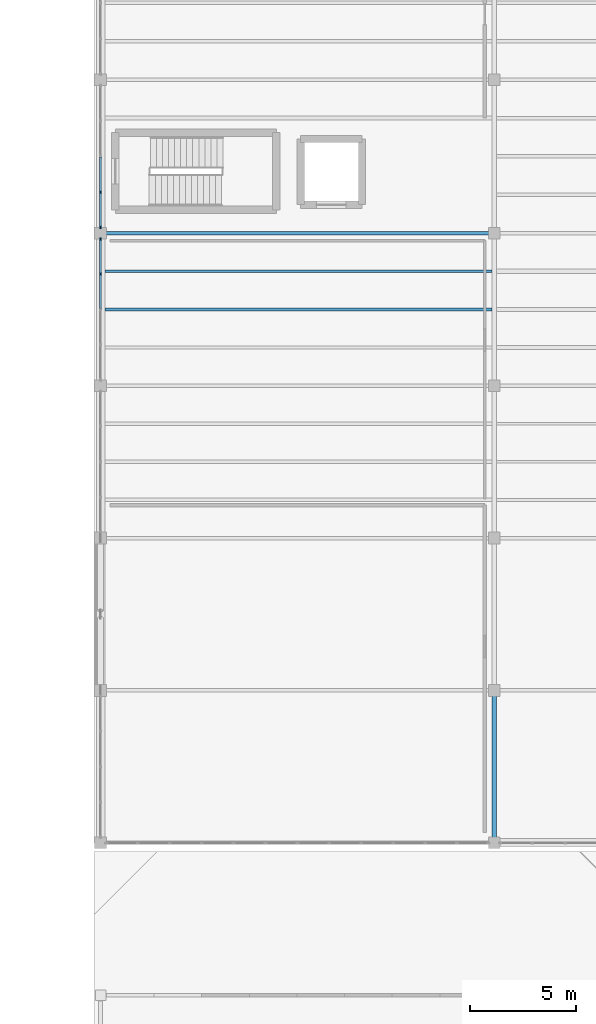
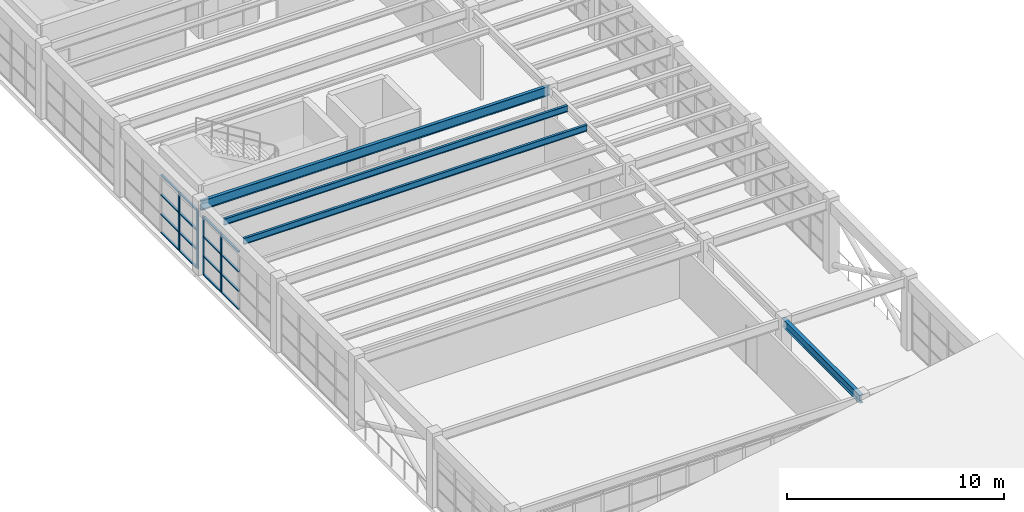
# One storey, part 30 of 66: 20 members, 4 beams, 2 elements without a shape of their own.
"""IFC4 building model written with IfcOpenShell, lengths in metres."""

from ifc_helpers import new_model, si_unit, direction, frame, origin, origin_2d, place, context, subcontext, project, spatial, rectangle, i_section, extrude, material, layer, layer_set, material_profile, profile_set, type_object, element, aggregate, save


model = new_model("IFC4")

# Units and contexts
model_context = context("Model", 3, precision=1e-05, world=origin(), true_north=direction((0.0, 1.0)))
body_context = subcontext(model_context, "Body", "Model", "MODEL_VIEW")
ifc_project = project(units=[si_unit("LENGTHUNIT", "METRE"), si_unit("AREAUNIT", "SQUARE_METRE"), si_unit("VOLUMEUNIT", "CUBIC_METRE"), si_unit("PLANEANGLEUNIT", "RADIAN"), si_unit("MASSUNIT", "GRAM", prefix="KILO")], contexts=[model_context])

# Site, building, storey
site_placement = place(None, origin())
site = spatial("IfcSite", under=ifc_project, at=site_placement, CompositionType="ELEMENT")
building_placement = place(site_placement, origin())
building = spatial("IfcBuilding", under=site, at=building_placement, Name="Candilejo Ridge Gondola Terminal", CompositionType="ELEMENT")
storey_placement = place(building_placement, frame((0.0, 0.0, 14.39990234375)))
storey = spatial("IfcBuildingStorey", under=building, at=storey_placement, Name="L03", CompositionType="ELEMENT", Elevation=14.39990234375)

# Curtain wall, members
ifc_material_1 = material(Name="Anodised aluminium AA 6063-T6", Category="aluminium")
ifc_layer_1 = layer(ifc_material_1, 0.169921875)
ifc_layer_set_1 = layer_set([ifc_layer_1], Name="ARC-CW-TOWER-3000-670X329")
curtain_wall_type_1 = type_object("IfcCurtainWallType", Name="ARC-CW-TOWER-3000-670X329", PredefinedType="NOTDEFINED", material=ifc_layer_set_1)
curtain_wall_1_placement = place(storey_placement, origin())
curtain_wall_1 = element("IfcCurtainWall", 1, at=curtain_wall_1_placement, inside=storey, type_object=curtain_wall_type_1, Name="Curtain wall V5 L03-200", PredefinedType="NOTDEFINED")
ifc_material_2 = material(Name="Anodised aluminium AA 6063-T6", Category="aluminium")
ifc_material_profile_1 = material_profile(ifc_material_2, rectangle(XDim=0.06494140625, YDim=0.14990234375, at=origin_2d()))
ifc_profile_set_1 = profile_set([ifc_material_profile_1], Name="Anodised aluminium AA 6063-T6")
member_type_1 = type_object("IfcMemberType", Name="ARC-CW-MULLION-150", PredefinedType="MULLION", material=ifc_profile_set_1)
member_1_placement = place(storey_placement, frame((150.0, 97.125, 0.0), z_axis=(0.0, 0.0, 1.0), x_axis=(-1.0, 0.0, 0.0)))
member_1 = element("IfcMember", 2, at=member_1_placement, type_object=member_type_1, Name="CW-67X32 mullion 4", PredefinedType="MULLION", context=body_context, shape_type="SweptSolid", body=[
    extrude(rectangle(XDim=0.06494140625, YDim=0.14990234375, at=origin_2d()), origin(), (0.0, 0.0, 1.0), 3.2900390625),
])
member_2_placement = place(storey_placement, frame((150.0, 98.767578125, 0.0), z_axis=(0.0, 0.0, 1.0), x_axis=(-1.0, 0.0, 0.0)))
member_2 = element("IfcMember", 3, at=member_2_placement, type_object=member_type_1, Name="CW-67X32 mullion 5", PredefinedType="MULLION", context=body_context, shape_type="SweptSolid", body=[
    extrude(rectangle(XDim=0.06494140625, YDim=0.14990234375, at=origin_2d()), origin(), (0.0, 0.0, 1.0), 3.2900390625),
])

ifc_material_3 = material(Name="Anodised aluminium AA 6063-T6", Category="aluminium")
ifc_layer_2 = layer(ifc_material_3, 0.169921875)
ifc_layer_set_2 = layer_set([ifc_layer_2], Name="ARC-CW-TOWER-3000-675X329")
curtain_wall_type_2 = type_object("IfcCurtainWallType", Name="ARC-CW-TOWER-3000-675X329", PredefinedType="NOTDEFINED", material=ifc_layer_set_2)
curtain_wall_2_placement = place(storey_placement, origin())
curtain_wall_2 = element("IfcCurtainWall", 4, at=curtain_wall_2_placement, inside=storey, type_object=curtain_wall_type_2, Name="Curtain wall V5 L03-202", PredefinedType="NOTDEFINED")
member_3_placement = place(storey_placement, frame((150.0, 99.33251953125, 0.0), z_axis=(0.0, 0.0, 1.0), x_axis=(-1.0, 0.0, 0.0)))
member_3 = element("IfcMember", 5, at=member_3_placement, type_object=member_type_1, Name="CW-67X32 mullion 1", PredefinedType="MULLION", context=body_context, shape_type="SweptSolid", body=[
    extrude(rectangle(XDim=0.06494140625, YDim=0.14990234375, at=origin_2d()), origin(), (0.0, 0.0, 1.0), 3.2900390625),
])
member_4_placement = place(storey_placement, frame((150.0, 100.987548828125, 0.0), z_axis=(0.0, 0.0, 1.0), x_axis=(-1.0, 0.0, 0.0)))
member_4 = element("IfcMember", 6, at=member_4_placement, type_object=member_type_1, Name="CW-67X32 mullion 2", PredefinedType="MULLION", context=body_context, shape_type="SweptSolid", body=[
    extrude(rectangle(XDim=0.06494140625, YDim=0.14990234375, at=origin_2d()), origin(), (0.0, 0.0, 1.0), 3.2900390625),
])

# Member
ifc_material_4 = material(Name="Anodised aluminium AA 6063-T6", Category="aluminium")
ifc_material_profile_2 = material_profile(ifc_material_4, rectangle(XDim=0.110107421875, YDim=0.06005859375, at=origin_2d()))
ifc_profile_set_2 = profile_set([ifc_material_profile_2], Name="Anodised aluminium AA 6063-T6")
member_type_2 = type_object("IfcMemberType", Name="ARC-CW-TRANSOM-110", PredefinedType="USERDEFINED", material=ifc_profile_set_2)
member_5_placement = place(storey_placement, frame((150.0, 95.482421875, 0.030029296875), z_axis=(0.0, 1.0, 0.0), x_axis=(-1.0, 0.0, 0.0)))
member_5 = element("IfcMember", 7, at=member_5_placement, type_object=member_type_2, Name="CW-67X32 transom 3.1", ObjectType="TRANSOM", PredefinedType="USERDEFINED", context=body_context, shape_type="SweptSolid", body=[
    extrude(rectangle(XDim=0.110107421875, YDim=0.06005859375, at=origin_2d()), origin(), (0.0, 0.0, 1.0), 1.610107421875),
])

member_6_placement = place(storey_placement, frame((150.0, 95.482421875, 1.050048828125), z_axis=(0.0, 1.0, 0.0), x_axis=(-1.0, 0.0, 0.0)))
member_6 = element("IfcMember", 8, at=member_6_placement, type_object=member_type_2, Name="CW-67X32 transom 3.2", ObjectType="TRANSOM", PredefinedType="USERDEFINED", context=body_context, shape_type="SweptSolid", body=[
    extrude(rectangle(XDim=0.110107421875, YDim=0.06005859375, at=origin_2d()), origin(), (0.0, 0.0, 1.0), 1.610107421875),
])

member_7_placement = place(storey_placement, frame((150.0, 95.482421875, 2.150146484375), z_axis=(0.0, 1.0, 0.0), x_axis=(-1.0, 0.0, 0.0)))
member_7 = element("IfcMember", 9, at=member_7_placement, type_object=member_type_2, Name="CW-67X32 transom 3.3", ObjectType="TRANSOM", PredefinedType="USERDEFINED", context=body_context, shape_type="SweptSolid", body=[
    extrude(rectangle(XDim=0.110107421875, YDim=0.06005859375, at=origin_2d()), origin(), (0.0, 0.0, 1.0), 1.610107421875),
])

member_8_placement = place(storey_placement, frame((150.0, 95.482421875, 3.260009765625), z_axis=(0.0, 1.0, 0.0), x_axis=(-1.0, 0.0, 0.0)))
member_8 = element("IfcMember", 10, at=member_8_placement, type_object=member_type_2, Name="CW-67X32 transom 3.4", ObjectType="TRANSOM", PredefinedType="USERDEFINED", context=body_context, shape_type="SweptSolid", body=[
    extrude(rectangle(XDim=0.110107421875, YDim=0.06005859375, at=origin_2d()), origin(), (0.0, 0.0, 1.0), 1.610107421875),
])

member_9_placement = place(storey_placement, frame((150.0, 97.157470703125, 0.030029296875), z_axis=(0.0, 1.0, 0.0), x_axis=(-1.0, 0.0, 0.0)))
member_9 = element("IfcMember", 11, at=member_9_placement, type_object=member_type_2, Name="CW-67X32 transom 4.1", ObjectType="TRANSOM", PredefinedType="USERDEFINED", context=body_context, shape_type="SweptSolid", body=[
    extrude(rectangle(XDim=0.110107421875, YDim=0.06005859375, at=origin_2d()), origin(), (0.0, 0.0, 1.0), 1.57763671875),
])

member_10_placement = place(storey_placement, frame((150.0, 97.157470703125, 1.050048828125), z_axis=(0.0, 1.0, 0.0), x_axis=(-1.0, 0.0, 0.0)))
member_10 = element("IfcMember", 12, at=member_10_placement, type_object=member_type_2, Name="CW-67X32 transom 4.2", ObjectType="TRANSOM", PredefinedType="USERDEFINED", context=body_context, shape_type="SweptSolid", body=[
    extrude(rectangle(XDim=0.110107421875, YDim=0.06005859375, at=origin_2d()), origin(), (0.0, 0.0, 1.0), 1.57763671875),
])

member_11_placement = place(storey_placement, frame((150.0, 97.157470703125, 2.150146484375), z_axis=(0.0, 1.0, 0.0), x_axis=(-1.0, 0.0, 0.0)))
member_11 = element("IfcMember", 13, at=member_11_placement, type_object=member_type_2, Name="CW-67X32 transom 4.3", ObjectType="TRANSOM", PredefinedType="USERDEFINED", context=body_context, shape_type="SweptSolid", body=[
    extrude(rectangle(XDim=0.110107421875, YDim=0.06005859375, at=origin_2d()), origin(), (0.0, 0.0, 1.0), 1.57763671875),
])

member_12_placement = place(storey_placement, frame((150.0, 97.157470703125, 3.260009765625), z_axis=(0.0, 1.0, 0.0), x_axis=(-1.0, 0.0, 0.0)))
member_12 = element("IfcMember", 14, at=member_12_placement, type_object=member_type_2, Name="CW-67X32 transom 4.4", ObjectType="TRANSOM", PredefinedType="USERDEFINED", context=body_context, shape_type="SweptSolid", body=[
    extrude(rectangle(XDim=0.110107421875, YDim=0.06005859375, at=origin_2d()), origin(), (0.0, 0.0, 1.0), 1.57763671875),
])

aggregate(curtain_wall_1, [member_1, member_2, member_5, member_6, member_7, member_8, member_9, member_10, member_11, member_12])

member_13_placement = place(storey_placement, frame((150.0, 99.364990234375, 0.030029296875), z_axis=(0.0, 1.0, 0.0), x_axis=(-1.0, 0.0, 0.0)))
member_13 = element("IfcMember", 15, at=member_13_placement, type_object=member_type_2, Name="CW-67X32 transom 1.1", ObjectType="TRANSOM", PredefinedType="USERDEFINED", context=body_context, shape_type="SweptSolid", body=[
    extrude(rectangle(XDim=0.110107421875, YDim=0.06005859375, at=origin_2d()), origin(), (0.0, 0.0, 1.0), 1.590087890625),
])

member_14_placement = place(storey_placement, frame((150.0, 99.364990234375, 1.050048828125), z_axis=(0.0, 1.0, 0.0), x_axis=(-1.0, 0.0, 0.0)))
member_14 = element("IfcMember", 16, at=member_14_placement, type_object=member_type_2, Name="CW-67X32 transom 1.2", ObjectType="TRANSOM", PredefinedType="USERDEFINED", context=body_context, shape_type="SweptSolid", body=[
    extrude(rectangle(XDim=0.110107421875, YDim=0.06005859375, at=origin_2d()), origin(), (0.0, 0.0, 1.0), 1.590087890625),
])

member_15_placement = place(storey_placement, frame((150.0, 99.364990234375, 2.150146484375), z_axis=(0.0, 1.0, 0.0), x_axis=(-1.0, 0.0, 0.0)))
member_15 = element("IfcMember", 17, at=member_15_placement, type_object=member_type_2, Name="CW-67X32 transom 1.3", ObjectType="TRANSOM", PredefinedType="USERDEFINED", context=body_context, shape_type="SweptSolid", body=[
    extrude(rectangle(XDim=0.110107421875, YDim=0.06005859375, at=origin_2d()), origin(), (0.0, 0.0, 1.0), 1.590087890625),
])

member_16_placement = place(storey_placement, frame((150.0, 99.364990234375, 3.260009765625), z_axis=(0.0, 1.0, 0.0), x_axis=(-1.0, 0.0, 0.0)))
member_16 = element("IfcMember", 18, at=member_16_placement, type_object=member_type_2, Name="CW-67X32 transom 1.4", ObjectType="TRANSOM", PredefinedType="USERDEFINED", context=body_context, shape_type="SweptSolid", body=[
    extrude(rectangle(XDim=0.110107421875, YDim=0.06005859375, at=origin_2d()), origin(), (0.0, 0.0, 1.0), 1.590087890625),
])

member_17_placement = place(storey_placement, frame((150.0, 101.02001953125, 0.030029296875), z_axis=(0.0, 1.0, 0.0), x_axis=(-1.0, 0.0, 0.0)))
member_17 = element("IfcMember", 19, at=member_17_placement, type_object=member_type_2, Name="CW-67X32 transom 2.1", ObjectType="TRANSOM", PredefinedType="USERDEFINED", context=body_context, shape_type="SweptSolid", body=[
    extrude(rectangle(XDim=0.110107421875, YDim=0.06005859375, at=origin_2d()), origin(), (0.0, 0.0, 1.0), 1.62255859375),
])

member_18_placement = place(storey_placement, frame((150.0, 101.02001953125, 1.050048828125), z_axis=(0.0, 1.0, 0.0), x_axis=(-1.0, 0.0, 0.0)))
member_18 = element("IfcMember", 20, at=member_18_placement, type_object=member_type_2, Name="CW-67X32 transom 2.2", ObjectType="TRANSOM", PredefinedType="USERDEFINED", context=body_context, shape_type="SweptSolid", body=[
    extrude(rectangle(XDim=0.110107421875, YDim=0.06005859375, at=origin_2d()), origin(), (0.0, 0.0, 1.0), 1.62255859375),
])

member_19_placement = place(storey_placement, frame((150.0, 101.02001953125, 2.150146484375), z_axis=(0.0, 1.0, 0.0), x_axis=(-1.0, 0.0, 0.0)))
member_19 = element("IfcMember", 21, at=member_19_placement, type_object=member_type_2, Name="CW-67X32 transom 2.3", ObjectType="TRANSOM", PredefinedType="USERDEFINED", context=body_context, shape_type="SweptSolid", body=[
    extrude(rectangle(XDim=0.110107421875, YDim=0.06005859375, at=origin_2d()), origin(), (0.0, 0.0, 1.0), 1.62255859375),
])

member_20_placement = place(storey_placement, frame((150.0, 101.02001953125, 3.260009765625), z_axis=(0.0, 1.0, 0.0), x_axis=(-1.0, 0.0, 0.0)))
member_20 = element("IfcMember", 22, at=member_20_placement, type_object=member_type_2, Name="CW-67X32 transom 2.4", ObjectType="TRANSOM", PredefinedType="USERDEFINED", context=body_context, shape_type="SweptSolid", body=[
    extrude(rectangle(XDim=0.110107421875, YDim=0.06005859375, at=origin_2d()), origin(), (0.0, 0.0, 1.0), 1.62255859375),
])

aggregate(curtain_wall_2, [member_3, member_4, member_13, member_14, member_15, member_16, member_17, member_18, member_19, member_20])

# Beams
ifc_material_5 = material(Name="Steel ASTM A992 Grade 50", Category="steel")
ifc_material_profile_3 = material_profile(ifc_material_5, i_section(OverallWidth=0.194091796875, OverallDepth=0.468994140625, WebThickness=0.0126953125, FlangeThickness=0.0205078125, at=origin_2d()))
ifc_profile_set_3 = profile_set([ifc_material_profile_3], Name="Steel ASTM A992 Grade 50")
beam_type_1 = type_object("IfcBeamType", Name="STR-BM-W460X106", PredefinedType="BEAM", material=ifc_profile_set_3)
beam_1_placement = place(storey_placement, frame((168.60009765625, 70.25, 3.755615234375), z_axis=(0.0, 1.0, 0.0), x_axis=(-1.0, 0.0, 0.0)))
element("IfcBeam", 23, at=beam_1_placement, inside=storey, type_object=beam_type_1, Name="Beam Y V5 L03 Y13-Y14@X25", PredefinedType="BEAM", context=body_context, shape_type="SweptSolid", body=[
    extrude(i_section(OverallWidth=0.194091796875, OverallDepth=0.468994140625, WebThickness=0.0126953125, FlangeThickness=0.0205078125, at=origin_2d()), origin(), (0.0, 0.0, 1.0), 7.199951171875),
])
ifc_material_6 = material(Name="Steel ASTM A992 Grade 50", Category="steel")
ifc_material_profile_4 = material_profile(ifc_material_6, i_section(OverallWidth=0.166015625, OverallDepth=0.529052734375, WebThickness=0.009765625, FlangeThickness=0.013671875, at=origin_2d()))
ifc_profile_set_4 = profile_set([ifc_material_profile_4], Name="Steel ASTM A992 Grade 50")
beam_type_2 = type_object("IfcBeamType", Name="STR-BM-W530X74", PredefinedType="BEAM", material=ifc_profile_set_4)
beam_2_placement = place(storey_placement, frame((150.0, 99.050048828125, 3.7255859375), z_axis=(1.0, 0.0, 0.0), x_axis=(0.0, 1.0, 0.0)))
element("IfcBeam", 24, at=beam_2_placement, inside=storey, type_object=beam_type_2, Name="Beam X V5 L03 X23-X25@Y17", PredefinedType="BEAM", context=body_context, shape_type="SweptSolid", body=[
    extrude(i_section(OverallWidth=0.166015625, OverallDepth=0.529052734375, WebThickness=0.009765625, FlangeThickness=0.013671875, at=origin_2d()), origin(), (0.0, 0.0, 1.0), 18.60009765625),
])
ifc_material_7 = material(Name="Steel ASTM A992 Grade 50", Category="steel")
ifc_material_profile_5 = material_profile(ifc_material_7, i_section(OverallWidth=0.1279296875, OverallDepth=0.35302734375, WebThickness=0.006591796875, FlangeThickness=0.0107421875, at=origin_2d()))
ifc_profile_set_5 = profile_set([ifc_material_profile_5], Name="Steel ASTM A992 Grade 50")
beam_type_3 = type_object("IfcBeamType", Name="STR-JST-W360X39", PredefinedType="JOIST", material=ifc_profile_set_5)
for number, where, z_axis, x_axis, name in (
    (25, (150.199951171875, 95.449951171875, 3.8134765625), (1.0, 0.0, 0.0), (0.0, 1.0, 0.0), "Composite joist V5 L03-1385"),
    (26, (150.199951171875, 97.25, 3.8134765625), (1.0, 0.0, 0.0), (0.0, 1.0, 0.0), "Composite joist V5 L03-1386"),
):
    element("IfcBeam", number, at=place(storey_placement, frame(where, z_axis=z_axis, x_axis=x_axis)), inside=storey, type_object=beam_type_3, Name=name, PredefinedType="JOIST", context=body_context, shape_type="SweptSolid", body=[
        extrude(i_section(OverallWidth=0.1279296875, OverallDepth=0.35302734375, WebThickness=0.006591796875, FlangeThickness=0.0107421875, at=origin_2d()), origin(), (0.0, 0.0, 1.0), 18.302978515625),
    ])

save(model, "model.ifc")
